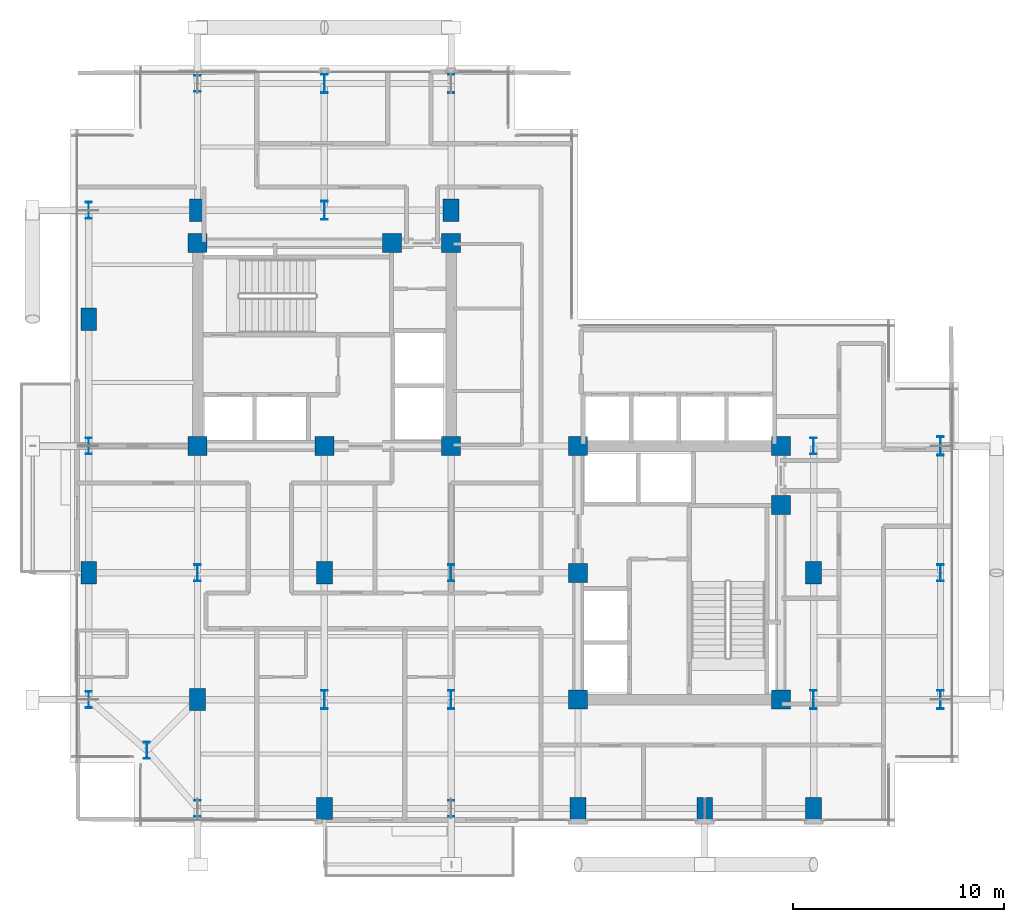
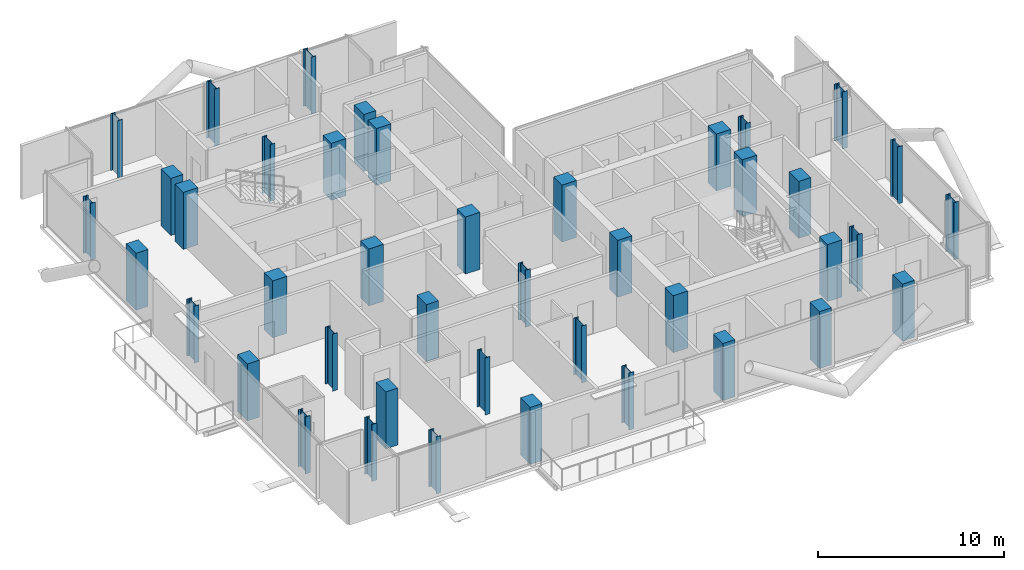
# One storey, part 1 of 22: 42 columns.
"""IFC4 building model written with IfcOpenShell, lengths in metres."""

from ifc_helpers import new_model, si_unit, direction, frame, origin, origin_2d, place, context, subcontext, project, spatial, rectangle, i_section, extrude, material, material_profile, profile_set, type_object, element, save


model = new_model("IFC4")

# Units and contexts
model_context = context("Model", 3, precision=1e-05, world=origin(), true_north=direction((0.0, 1.0)))
body_context = subcontext(model_context, "Body", "Model", "MODEL_VIEW")
ifc_project = project(units=[si_unit("LENGTHUNIT", "METRE"), si_unit("AREAUNIT", "SQUARE_METRE"), si_unit("VOLUMEUNIT", "CUBIC_METRE"), si_unit("PLANEANGLEUNIT", "RADIAN"), si_unit("MASSUNIT", "GRAM", prefix="KILO"), si_unit("THERMODYNAMICTEMPERATUREUNIT", "KELVIN"), si_unit("POWERUNIT", "WATT")], contexts=[model_context])

# Site, building, storey
site_placement = place(None, origin())
site = spatial("IfcSite", under=ifc_project, at=site_placement, CompositionType="ELEMENT")
building_placement = place(site_placement, origin())
building = spatial("IfcBuilding", under=site, at=building_placement, Name="Svarakhadi Broadcast Tower", CompositionType="ELEMENT")
storey_placement = place(building_placement, frame((0.0, 0.0, 172.949951171875)))
storey = spatial("IfcBuildingStorey", under=building, at=storey_placement, Name="L42", CompositionType="ELEMENT", Elevation=172.949951171875)

# Columns
ifc_material_1 = material(Name="Concrete C50/60 (IS 456 M60)", Category="concrete")
ifc_material_profile_1 = material_profile(ifc_material_1, rectangle(XDim=0.75, YDim=1.050048828125, at=origin_2d()), Name="RC 750x1050")
ifc_profile_set_1 = profile_set([ifc_material_profile_1], Name="Concrete C50/60 (IS 456 M60)")
column_type_1 = type_object("IfcColumnType", Name="Col_RC750", PredefinedType="COLUMN", material=ifc_profile_set_1)
for number, where, z_axis, x_axis, name in (
    (1, (0.85009765625, 12.0, 0.0), (0.0, 0.0, 1.0), (1.0, 0.0, 0.0), "L42 Column G04"),
    (2, (0.85009765625, 24.0, 0.0), (0.0, 0.0, 1.0), (1.0, 0.0, 0.0), "L42 Column G06"),
    (3, (6.0, 6.0, 0.0), (0.0, 0.0, 1.0), (1.0, 0.0, 0.0), "L42 Column G12"),
    (4, (6.0, 29.14990234375, 0.0), (0.0, 0.0, 1.0), (1.0, 0.0, 0.0), "L42 Column G14"),
    (5, (12.0, 0.85009765625, 0.0), (0.0, 0.0, 1.0), (1.0, 0.0, 0.0), "L42 Column G18"),
    (6, (12.0, 12.0, 0.0), (0.0, 0.0, 1.0), (1.0, 0.0, 0.0), "L42 Column G20"),
    (7, (18.0, 29.14990234375, 0.0), (0.0, 0.0, 1.0), (1.0, 0.0, 0.0), "L42 Column G28"),
    (8, (24.0, 0.85009765625, 0.0), (0.0, 0.0, 1.0), (1.0, 0.0, 0.0), "L42 Column G32"),
    (9, (30.0, 0.85009765625, 0.0), (0.0, 0.0, 1.0), (1.0, 0.0, 0.0), "L42 Column G36"),
    (10, (35.14990234375, 0.85009765625, 0.0), (0.0, 0.0, 1.0), (1.0, 0.0, 0.0), "L42 Column G38"),
    (11, (35.14990234375, 12.0, 0.0), (0.0, 0.0, 1.0), (1.0, 0.0, 0.0), "L42 Column G40"),
):
    element("IfcColumn", number, at=place(storey_placement, frame(where, z_axis=z_axis, x_axis=x_axis)), inside=storey, type_object=column_type_1, Name=name, PredefinedType="COLUMN", context=body_context, shape_type="SweptSolid", body=[
        extrude(rectangle(XDim=0.75, YDim=1.050048828125, at=origin_2d()), origin(), (0.0, 0.0, 1.0), 3.75),
    ])
ifc_material_profile_2 = material_profile(ifc_material_1, rectangle(XDim=0.89990234375, YDim=0.89990234375, at=origin_2d()), Name="RC 900x900")
ifc_profile_set_2 = profile_set([ifc_material_profile_2], Name="Concrete C50/60 (IS 456 M60)")
column_type_2 = type_object("IfcColumnType", Name="Col_RC900", PredefinedType="COLUMN", material=ifc_profile_set_2)
for number, where, z_axis, x_axis, name in (
    (12, (6.0, 18.0, 0.0), (0.0, 0.0, 1.0), (1.0, 0.0, 0.0), "L42 Column CW1"),
    (13, (12.0, 18.0, 0.0), (0.0, 0.0, 1.0), (1.0, 0.0, 0.0), "L42 Column CW2"),
    (14, (18.0, 18.0, 0.0), (0.0, 0.0, 1.0), (1.0, 0.0, 0.0), "L42 Column CW3"),
    (15, (6.0, 27.60009765625, 0.0), (0.0, 0.0, 1.0), (1.0, 0.0, 0.0), "L42 Column CW4"),
    (16, (15.199951171875, 27.60009765625, 0.0), (0.0, 0.0, 1.0), (1.0, 0.0, 0.0), "L42 Column CW5"),
    (17, (18.0, 27.60009765625, 0.0), (0.0, 0.0, 1.0), (1.0, 0.0, 0.0), "L42 Column CW6"),
    (18, (24.0, 6.0, 0.0), (0.0, 0.0, 1.0), (1.0, 0.0, 0.0), "L42 Column CE1"),
    (19, (24.0, 12.0, 0.0), (0.0, 0.0, 1.0), (1.0, 0.0, 0.0), "L42 Column CE2"),
    (20, (24.0, 18.0, 0.0), (0.0, 0.0, 1.0), (1.0, 0.0, 0.0), "L42 Column CE3"),
    (21, (33.60009765625, 6.0, 0.0), (0.0, 0.0, 1.0), (1.0, 0.0, 0.0), "L42 Column CE4"),
    (22, (33.60009765625, 15.199951171875, 0.0), (0.0, 0.0, 1.0), (1.0, 0.0, 0.0), "L42 Column CE5"),
    (23, (33.60009765625, 18.0, 0.0), (0.0, 0.0, 1.0), (1.0, 0.0, 0.0), "L42 Column CE6"),
):
    element("IfcColumn", number, at=place(storey_placement, frame(where, z_axis=z_axis, x_axis=x_axis)), inside=storey, type_object=column_type_2, Name=name, PredefinedType="COLUMN", context=body_context, shape_type="SweptSolid", body=[
        extrude(rectangle(XDim=0.89990234375, YDim=0.89990234375, at=origin_2d()), origin(), (0.0, 0.0, 1.0), 3.75),
    ])
ifc_material_2 = material(Name="Steel S460ML (IS 2062 E450BR)", Category="steel")
ifc_material_profile_3 = material_profile(ifc_material_2, i_section(OverallWidth=0.300048828125, OverallDepth=0.800048828125, WebThickness=0.017578125, FlangeThickness=0.032958984375, FilletRadius=0.030029296875, at=origin_2d()), Name="WPB 800x300x262")
ifc_profile_set_3 = profile_set([ifc_material_profile_3], Name="Steel S460ML (IS 2062 E450BR)")
column_type_3 = type_object("IfcColumnType", Name="Col_WPB800", PredefinedType="COLUMN", material=ifc_profile_set_3)
for number, where, z_axis, x_axis, name in (
    (24, (3.60009765625, 3.60009765625, 0.0), (0.0, 0.0, 1.0), (1.0, 0.0, 0.0), "L42 Column G01"),
    (25, (0.85009765625, 6.0, 0.0), (0.0, 0.0, 1.0), (1.0, 0.0, 0.0), "L42 Column G03"),
    (26, (0.85009765625, 18.0, 0.0), (0.0, 0.0, 1.0), (1.0, 0.0, 0.0), "L42 Column G05"),
    (27, (0.85009765625, 29.14990234375, 0.0), (0.0, 0.0, 1.0), (1.0, 0.0, 0.0), "L42 Column G07"),
    (28, (6.0, 0.85009765625, 0.0), (0.0, 0.0, 1.0), (1.0, 0.0, 0.0), "L42 Column G11"),
    (29, (6.0, 12.0, 0.0), (0.0, 0.0, 1.0), (1.0, 0.0, 0.0), "L42 Column G13"),
    (30, (6.0, 35.14990234375, 0.0), (0.0, 0.0, 1.0), (1.0, 0.0, 0.0), "L42 Column G15"),
    (31, (18.0, 0.85009765625, 0.0), (0.0, 0.0, 1.0), (1.0, 0.0, 0.0), "L42 Column G25"),
    (32, (18.0, 12.0, 0.0), (0.0, 0.0, 1.0), (1.0, 0.0, 0.0), "L42 Column G27"),
    (33, (35.14990234375, 18.0, 0.0), (0.0, 0.0, 1.0), (1.0, 0.0, 0.0), "L42 Column G41"),
    (34, (41.14990234375, 12.0, 0.0), (0.0, 0.0, 1.0), (1.0, 0.0, 0.0), "L42 Column G45"),
):
    element("IfcColumn", number, at=place(storey_placement, frame(where, z_axis=z_axis, x_axis=x_axis)), inside=storey, type_object=column_type_3, Name=name, PredefinedType="COLUMN", context=body_context, shape_type="SweptSolid", body=[
        extrude(i_section(OverallWidth=0.300048828125, OverallDepth=0.800048828125, WebThickness=0.017578125, FlangeThickness=0.032958984375, FilletRadius=0.030029296875, at=origin_2d()), origin(), (0.0, 0.0, 1.0), 3.75),
    ])
ifc_material_profile_4 = material_profile(ifc_material_2, i_section(OverallWidth=0.300048828125, OverallDepth=0.89990234375, WebThickness=0.0185546875, FlangeThickness=0.034912109375, FilletRadius=0.030029296875, at=origin_2d()), Name="WPB 900x300x291")
ifc_profile_set_4 = profile_set([ifc_material_profile_4], Name="Steel S460ML (IS 2062 E450BR)")
column_type_4 = type_object("IfcColumnType", Name="Col_WPB900", PredefinedType="COLUMN", material=ifc_profile_set_4)
for number, where, z_axis, x_axis, name in (
    (35, (12.0, 6.0, 0.0), (0.0, 0.0, 1.0), (1.0, 0.0, 0.0), "L42 Column G19"),
    (36, (12.0, 29.14990234375, 0.0), (0.0, 0.0, 1.0), (1.0, 0.0, 0.0), "L42 Column G21"),
    (37, (12.0, 35.14990234375, 0.0), (0.0, 0.0, 1.0), (1.0, 0.0, 0.0), "L42 Column G22"),
    (38, (18.0, 6.0, 0.0), (0.0, 0.0, 1.0), (1.0, 0.0, 0.0), "L42 Column G26"),
    (39, (18.0, 35.14990234375, 0.0), (0.0, 0.0, 1.0), (1.0, 0.0, 0.0), "L42 Column G29"),
    (40, (35.14990234375, 6.0, 0.0), (0.0, 0.0, 1.0), (1.0, 0.0, 0.0), "L42 Column G39"),
    (41, (41.14990234375, 6.0, 0.0), (0.0, 0.0, 1.0), (1.0, 0.0, 0.0), "L42 Column G44"),
    (42, (41.14990234375, 18.0, 0.0), (0.0, 0.0, 1.0), (1.0, 0.0, 0.0), "L42 Column G46"),
):
    element("IfcColumn", number, at=place(storey_placement, frame(where, z_axis=z_axis, x_axis=x_axis)), inside=storey, type_object=column_type_4, Name=name, PredefinedType="COLUMN", context=body_context, shape_type="SweptSolid", body=[
        extrude(i_section(OverallWidth=0.300048828125, OverallDepth=0.89990234375, WebThickness=0.0185546875, FlangeThickness=0.034912109375, FilletRadius=0.030029296875, at=origin_2d()), origin(), (0.0, 0.0, 1.0), 3.75),
    ])

save(model, "model.ifc")
